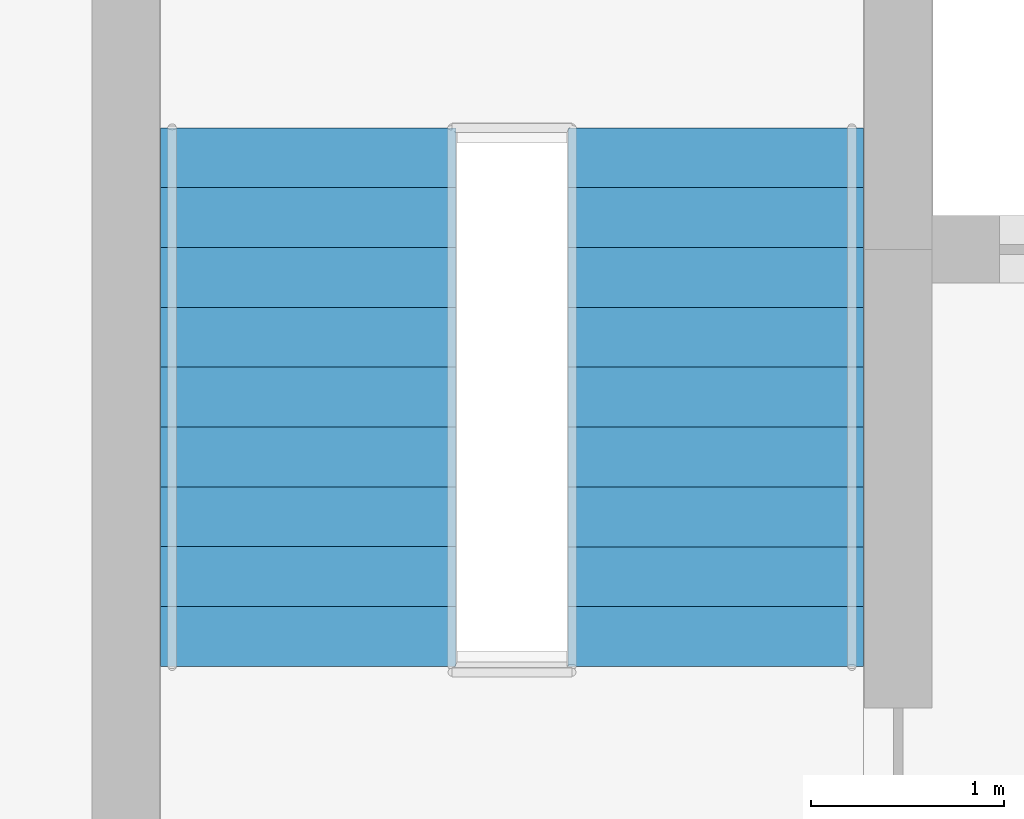
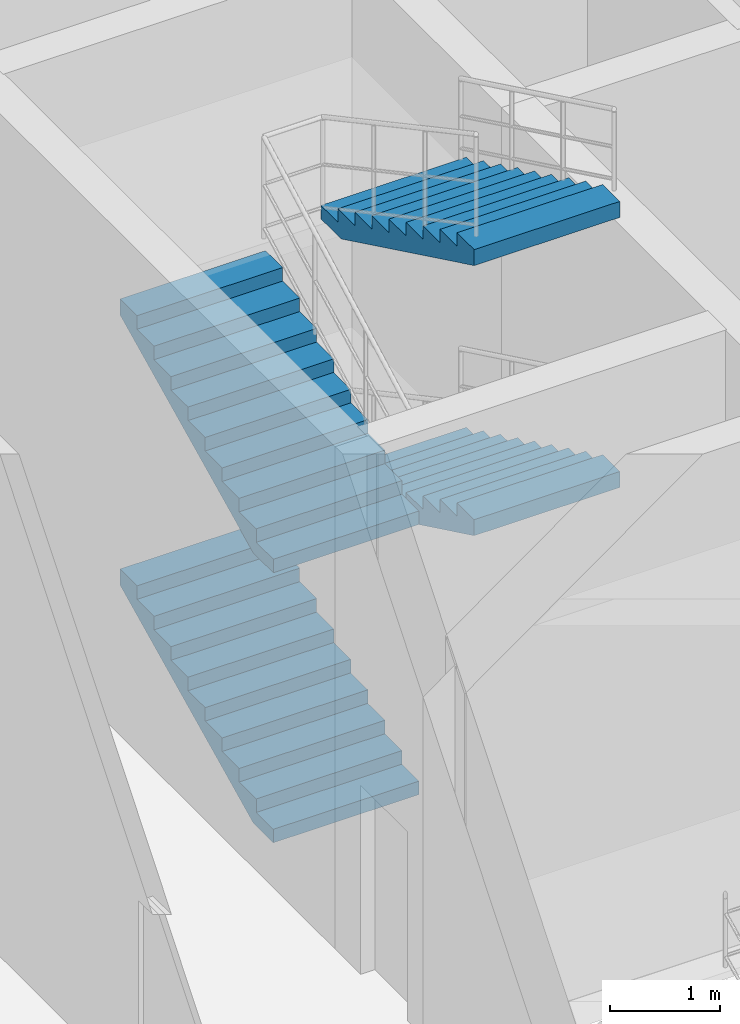
# One storey, part 9 of 11: 4 stair flights, 1 element without a shape of its own.
"""IFC4 building model written with IfcOpenShell, lengths in metres."""

from ifc_helpers import new_model, si_unit, direction, frame, origin, place, context, subcontext, project, spatial, polyline, outline, extrude, material, type_object, element, aggregate, save


model = new_model("IFC4")

# Units and contexts
model_context = context("Model", 3, precision=1e-05, world=origin(), true_north=direction((0.0, 1.0)))
body_context = subcontext(model_context, "Body", "Model", "MODEL_VIEW")
ifc_project = project(units=[si_unit("LENGTHUNIT", "METRE"), si_unit("AREAUNIT", "SQUARE_METRE"), si_unit("VOLUMEUNIT", "CUBIC_METRE"), si_unit("PLANEANGLEUNIT", "RADIAN"), si_unit("MASSUNIT", "GRAM", prefix="KILO")], contexts=[model_context])

# Site, building, storey
site_placement = place(None, origin())
site = spatial("IfcSite", under=ifc_project, at=site_placement, CompositionType="ELEMENT")
building_placement = place(site_placement, origin())
building = spatial("IfcBuilding", under=site, at=building_placement, Name="Keshet Zoharim Tower", CompositionType="ELEMENT")
storey_placement = place(building_placement, frame((0.0, 0.0, 13.0)))
storey = spatial("IfcBuildingStorey", under=building, at=storey_placement, Name="L02", CompositionType="ELEMENT", Elevation=13.0)

# Stair, stair flights
ifc_material = material(Name="Concrete C50/60", Category="concrete")
stair_type = type_object("IfcStairType", Name="STR-POD-135", PredefinedType="HALF_TURN_STAIR", material=ifc_material)
stair_placement = place(storey_placement, origin())
stair = element("IfcStair", 1, at=stair_placement, inside=storey, type_object=stair_type, Name="L02 Enclosed Exit Stair ST-02", PredefinedType="HALF_TURN_STAIR")
stair_flight_type = type_object("IfcStairFlightType", Name="FLT-PRE-135", PredefinedType="STRAIGHT", material=ifc_material)
stair_flight_1_placement = place(storey_placement, frame((15.945068359375, 32.840087890625, 0.0), z_axis=(0.0, 0.0, 1.0), x_axis=(0.0, 1.0, 0.0)))
stair_flight_1 = element("IfcStairFlight", 2, at=stair_flight_1_placement, type_object=stair_flight_type, Name="ST-02 flight 1", NumberOfRisers=10, NumberOfTreads=9, PredefinedType="STRAIGHT", RiserHeight=0.15, TreadLength=0.31, context=body_context, shape_type="SweptSolid", body=[
    extrude(outline(polyline([(0.0, 0.0), (0.0, 0.14990234375), (0.31005859375, 0.14990234375), (0.31005859375, 0.300048828125), (0.6201171875, 0.300048828125), (0.6201171875, 0.449951171875), (0.929931640625, 0.449951171875), (0.929931640625, 0.60009765625), (1.239990234375, 0.60009765625), (1.239990234375, 0.75), (1.550048828125, 0.75), (1.550048828125, 0.89990234375), (1.860107421875, 0.89990234375), (1.860107421875, 1.050048828125), (2.169921875, 1.050048828125), (2.169921875, 1.199951171875), (2.47998046875, 1.199951171875), (2.47998046875, 1.35009765625), (2.7900390625, 1.35009765625), (2.7900390625, 1.5), (2.7900390625, 1.17236328125), (0.3671875, 0.0), (0.0, 0.0)])), frame((0.0, 0.76513671875, 0.0), z_axis=(0.0, -1.0, 0.0), x_axis=(1.0, 0.0, 0.0)), (0.0, 0.0, 1.0), 1.530029296875),
])
stair_flight_2_placement = place(storey_placement, frame((18.054931640625, 35.6298828125, 1.5), z_axis=(0.0, 0.0, 1.0), x_axis=(0.0, -1.0, 0.0)))
stair_flight_2 = element("IfcStairFlight", 3, at=stair_flight_2_placement, type_object=stair_flight_type, Name="ST-02 flight 2", NumberOfRisers=10, NumberOfTreads=9, PredefinedType="STRAIGHT", RiserHeight=0.15, TreadLength=0.31, context=body_context, shape_type="SweptSolid", body=[
    extrude(outline(polyline([(0.0, 0.0), (0.0, 0.14990234375), (0.31005859375, 0.14990234375), (0.31005859375, 0.300048828125), (0.6201171875, 0.300048828125), (0.6201171875, 0.449951171875), (0.929931640625, 0.449951171875), (0.929931640625, 0.60009765625), (1.239990234375, 0.60009765625), (1.239990234375, 0.75), (1.550048828125, 0.75), (1.550048828125, 0.89990234375), (1.860107421875, 0.89990234375), (1.860107421875, 1.050048828125), (2.169921875, 1.050048828125), (2.169921875, 1.199951171875), (2.47998046875, 1.199951171875), (2.47998046875, 1.35009765625), (2.7900390625, 1.35009765625), (2.7900390625, 1.5), (2.7900390625, 1.17236328125), (0.3671875, 0.0), (0.0, 0.0)])), frame((0.0, 0.76513671875, 0.0), z_axis=(0.0, -1.0, 0.0), x_axis=(1.0, 0.0, 0.0)), (0.0, 0.0, 1.0), 1.530029296875),
])
stair_flight_3_placement = place(storey_placement, frame((15.945068359375, 32.840087890625, 3.0), z_axis=(0.0, 0.0, 1.0), x_axis=(0.0, 1.0, 0.0)))
stair_flight_3 = element("IfcStairFlight", 4, at=stair_flight_3_placement, type_object=stair_flight_type, Name="ST-02 flight 3", NumberOfRisers=10, NumberOfTreads=9, PredefinedType="STRAIGHT", RiserHeight=0.15, TreadLength=0.31, context=body_context, shape_type="SweptSolid", body=[
    extrude(outline(polyline([(0.0, 0.0), (0.0, 0.14990234375), (0.31005859375, 0.14990234375), (0.31005859375, 0.300048828125), (0.6201171875, 0.300048828125), (0.6201171875, 0.449951171875), (0.929931640625, 0.449951171875), (0.929931640625, 0.60009765625), (1.239990234375, 0.60009765625), (1.239990234375, 0.75), (1.550048828125, 0.75), (1.550048828125, 0.89990234375), (1.860107421875, 0.89990234375), (1.860107421875, 1.050048828125), (2.169921875, 1.050048828125), (2.169921875, 1.199951171875), (2.47998046875, 1.199951171875), (2.47998046875, 1.35009765625), (2.7900390625, 1.35009765625), (2.7900390625, 1.5), (2.7900390625, 1.17236328125), (0.3671875, 0.0), (0.0, 0.0)])), frame((0.0, 0.76513671875, 0.0), z_axis=(0.0, -1.0, 0.0), x_axis=(1.0, 0.0, 0.0)), (0.0, 0.0, 1.0), 1.530029296875),
])
stair_flight_4_placement = place(storey_placement, frame((18.054931640625, 35.6298828125, 4.5), z_axis=(0.0, 0.0, 1.0), x_axis=(0.0, -1.0, 0.0)))
stair_flight_4 = element("IfcStairFlight", 5, at=stair_flight_4_placement, type_object=stair_flight_type, Name="ST-02 flight 4", NumberOfRisers=10, NumberOfTreads=9, PredefinedType="STRAIGHT", RiserHeight=0.15, TreadLength=0.31, context=body_context, shape_type="SweptSolid", body=[
    extrude(outline(polyline([(0.0, 0.0), (0.0, 0.14990234375), (0.31005859375, 0.14990234375), (0.31005859375, 0.300048828125), (0.6201171875, 0.300048828125), (0.6201171875, 0.449951171875), (0.929931640625, 0.449951171875), (0.929931640625, 0.60009765625), (1.239990234375, 0.60009765625), (1.239990234375, 0.75), (1.550048828125, 0.75), (1.550048828125, 0.89990234375), (1.860107421875, 0.89990234375), (1.860107421875, 1.050048828125), (2.169921875, 1.050048828125), (2.169921875, 1.199951171875), (2.47998046875, 1.199951171875), (2.47998046875, 1.35009765625), (2.7900390625, 1.35009765625), (2.7900390625, 1.5), (2.7900390625, 1.17236328125), (0.3671875, 0.0), (0.0, 0.0)])), frame((0.0, 0.76513671875, 0.0), z_axis=(0.0, -1.0, 0.0), x_axis=(1.0, 0.0, 0.0)), (0.0, 0.0, 1.0), 1.530029296875),
])
aggregate(stair, [stair_flight_1, stair_flight_2, stair_flight_3, stair_flight_4])

save(model, "model.ifc")
